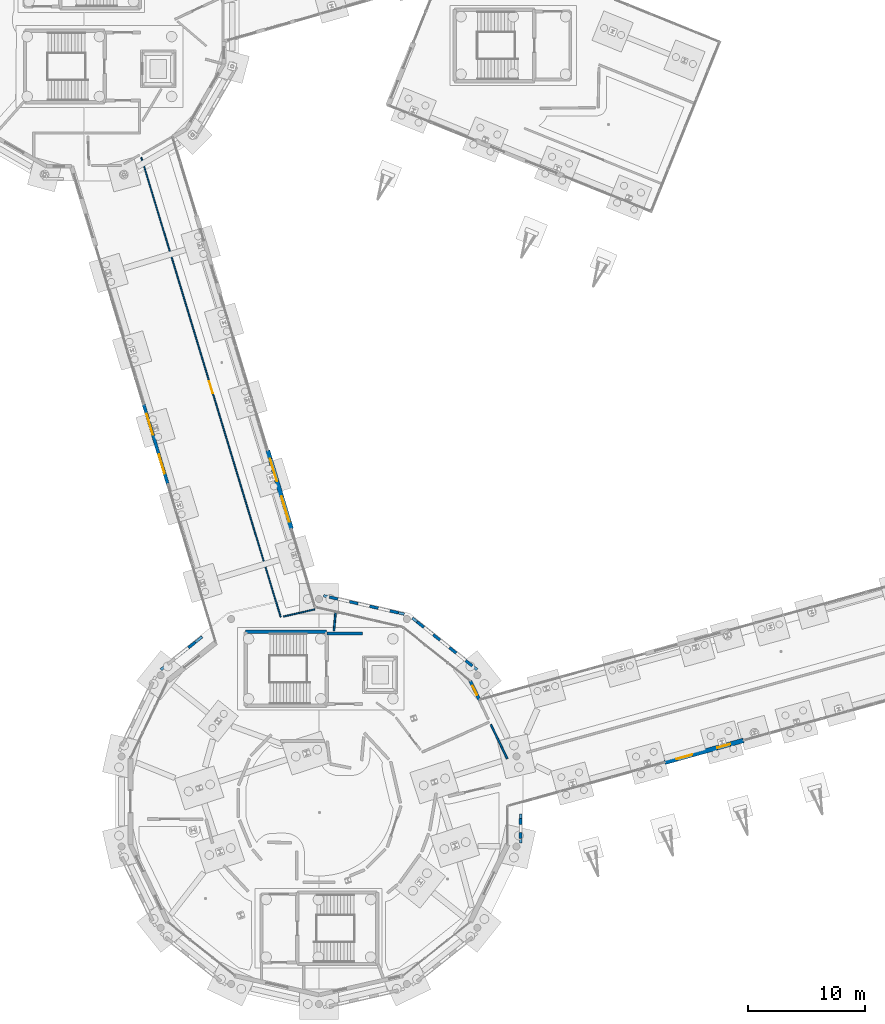
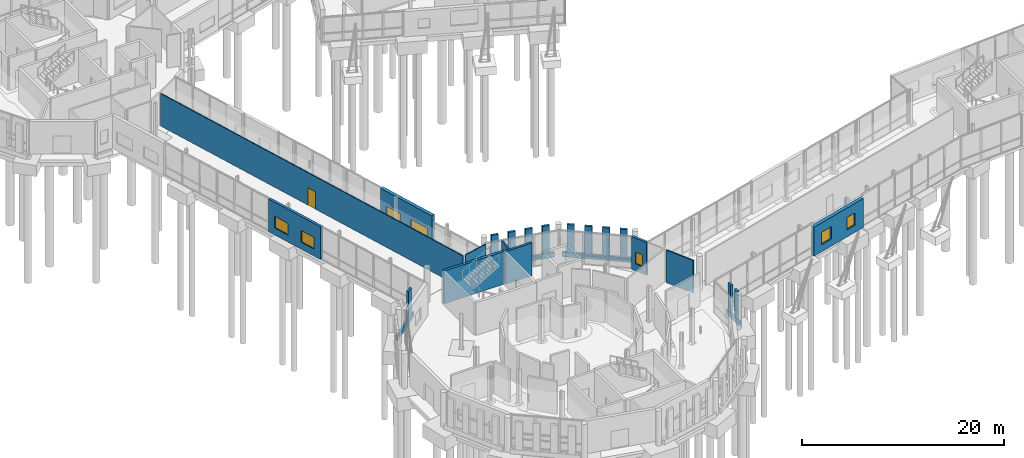
# One storey, part 80 of 113: 25 walls, 7 windows, 1 door, 8 openings.
"""IFC4 building model written with IfcOpenShell, lengths in metres."""

from ifc_helpers import new_model, si_unit, direction, frame, frame_2d, origin, place, context, subcontext, project, spatial, rectangle, extrude, material, layer, layer_set, type_object, element, fill, save


model = new_model("IFC4")

# Units and contexts
model_context = context("Model", 3, precision=1e-05, world=origin(), true_north=direction((0.0, 1.0)))
body_context = subcontext(model_context, "Body", "Model", "MODEL_VIEW")
ifc_project = project(units=[si_unit("LENGTHUNIT", "METRE"), si_unit("AREAUNIT", "SQUARE_METRE"), si_unit("VOLUMEUNIT", "CUBIC_METRE"), si_unit("PLANEANGLEUNIT", "RADIAN"), si_unit("MASSUNIT", "GRAM", prefix="KILO")], contexts=[model_context])

# Site, building, storey
site_placement = place(None, origin())
site = spatial("IfcSite", under=ifc_project, at=site_placement, CompositionType="ELEMENT")
building_placement = place(site_placement, origin())
building = spatial("IfcBuilding", under=site, at=building_placement, Name="Wrenclough Park School", CompositionType="ELEMENT")
storey_placement = place(building_placement, origin())
storey = spatial("IfcBuildingStorey", under=building, at=storey_placement, Name="L00", CompositionType="ELEMENT", Elevation=0.0)

# Walls
ifc_material_1 = material(Name="Perforated open-bond Staffordshire and Manchester brick screen pier", Category="masonry")
ifc_layer_1 = layer(ifc_material_1, 0.2451171875)
ifc_layer_set_1 = layer_set([ifc_layer_1], Name="Perforated open-bond Staffordshire and Manchester brick screen pier")
wall_type_1 = type_object("IfcWallType", Name="ENV-BS-PR245", PredefinedType="ELEMENTEDWALL", material=ifc_layer_set_1)
for number, where, z_axis, x_axis, name in (
    (1, (49.563232421875, 35.04833984375, 0.550048828125), (0.0, 0.0, 1.0), (-0.781833401173, 0.623487395872, 0.0), "D2 L00 perforated brick screen pier 0053"),
    (2, (48.185791015625, 36.14697265625, 0.550048828125), (0.0, 0.0, 1.0), (-0.781833401173, 0.623487395872, 0.0), "D2 L00 perforated brick screen pier 0054"),
    (3, (46.80810546875, 37.24560546875, 0.550048828125), (0.0, 0.0, 1.0), (-0.781833401173, 0.623487395872, 0.0), "D2 L00 perforated brick screen pier 0055"),
    (4, (45.4306640625, 38.34423828125, 0.550048828125), (0.0, 0.0, 1.0), (-0.781833401173, 0.623487395872, 0.0), "D2 L00 perforated brick screen pier 0056"),
    (5, (43.258056640625, 39.572998046875, 0.550048828125), (0.0, 0.0, 1.0), (-0.974960788757, 0.222376843189, 0.0), "D2 L00 perforated brick screen pier 0057"),
):
    element("IfcWall", number, at=place(storey_placement, frame(where, z_axis=z_axis, x_axis=x_axis)), inside=storey, type_object=wall_type_1, Name=name, PredefinedType="ELEMENTEDWALL", context=body_context, shape_type="SweptSolid", body=[
        extrude(rectangle(XDim=0.739990234375, YDim=0.2451171875, at=frame_2d((0.3701171875, 0.0))), origin(), (0.0, 0.0, 1.0), 3.389892578125),
    ])
wall_1_placement = place(storey_placement, frame((41.540771484375, 39.96484375, 0.550048828125), z_axis=(0.0, 0.0, 1.0), x_axis=(-0.974977096703, 0.222305332604, 0.0)))
element("IfcWall", 6, at=wall_1_placement, inside=storey, type_object=wall_type_1, Name="D2 L00 perforated brick screen pier 0058", PredefinedType="ELEMENTEDWALL", context=body_context, shape_type="SweptSolid", body=[
    extrude(rectangle(XDim=0.740234375, YDim=0.2451171875, at=frame_2d((0.3701171875, 0.0))), origin(), (0.0, 0.0, 1.0), 3.389892578125),
])
wall_2_placement = place(storey_placement, frame((39.8232421875, 40.35693359375, 0.550048828125), z_axis=(0.0, 0.0, 1.0), x_axis=(-0.974960788757, 0.222376843189, 0.0)))
element("IfcWall", 7, at=wall_2_placement, inside=storey, type_object=wall_type_1, Name="D2 L00 perforated brick screen pier 0059", PredefinedType="ELEMENTEDWALL", context=body_context, shape_type="SweptSolid", body=[
    extrude(rectangle(XDim=0.739990234375, YDim=0.2451171875, at=frame_2d((0.3701171875, 0.0))), origin(), (0.0, 0.0, 1.0), 3.389892578125),
])
wall_3_placement = place(storey_placement, frame((38.105712890625, 40.748779296875, 0.550048828125), z_axis=(0.0, 0.0, 1.0), x_axis=(-0.974872842026, 0.2227620746, 0.0)))
element("IfcWall", 8, at=wall_3_placement, inside=storey, type_object=wall_type_1, Name="D2 L00 perforated brick screen pier 0060", PredefinedType="ELEMENTEDWALL", context=body_context, shape_type="SweptSolid", body=[
    extrude(rectangle(XDim=0.73974609375, YDim=0.2451171875, at=frame_2d((0.369873046875, 0.0))), origin(), (0.0, 0.0, 1.0), 3.389892578125),
])
wall_4_placement = place(storey_placement, frame((25.970947265625, 37.069580078125, 0.550048828125), z_axis=(0.0, 0.0, 1.0), x_axis=(-0.781839347248, -0.623479939609, 0.0)))
element("IfcWall", 9, at=wall_4_placement, inside=storey, type_object=wall_type_1, Name="D2 L00 perforated brick screen pier 0061", PredefinedType="ELEMENTEDWALL", context=body_context, shape_type="SweptSolid", body=[
    extrude(rectangle(XDim=0.760009765625, YDim=0.2451171875, at=frame_2d((0.3798828125, 0.0))), origin(), (0.0, 0.0, 1.0), 3.389892578125),
])
for number, where, z_axis, x_axis, name in (
    (10, (53.673583984375, 20.330322265625, 0.550048828125), (0.0, 0.0, 1.0), (0.0, 1.0, 0.0), "D2 L00 perforated brick screen pier 0083"),
    (11, (53.673583984375, 21.548828125, 0.550048828125), (0.0, 0.0, 1.0), (0.0, 1.0, 0.0), "D2 L00 perforated brick screen pier 0084"),
):
    element("IfcWall", number, at=place(storey_placement, frame(where, z_axis=z_axis, x_axis=x_axis)), inside=storey, type_object=wall_type_1, Name=name, PredefinedType="ELEMENTEDWALL", context=body_context, shape_type="SweptSolid", body=[
        extrude(rectangle(XDim=0.511962890625, YDim=0.2451171875, at=frame_2d((0.255859375, 0.0))), origin(), (0.0, 0.0, 1.0), 3.389892578125),
    ])
ifc_material_2 = material(Name="Open-bond Manchester multi-stock brick spandrel screen", Category="masonry")
ifc_layer_2 = layer(ifc_material_2, 0.22509765625)
ifc_layer_set_2 = layer_set([ifc_layer_2], Name="Open-bond Manchester multi-stock brick spandrel screen")
wall_type_2 = type_object("IfcWallType", Name="ENV-BS-SP225", PredefinedType="ELEMENTEDWALL", material=ifc_layer_set_2)
wall_5_placement = place(storey_placement, frame((49.962890625, 34.729736328125, 0.0), z_axis=(0.0, 0.0, 1.0), x_axis=(-0.781827630302, 0.623494632291, 0.0)))
element("IfcWall", 12, at=wall_5_placement, inside=storey, type_object=wall_type_2, Name="D2 L00 open-bond brick screen spandrel 0013", PredefinedType="ELEMENTEDWALL", context=body_context, shape_type="SweptSolid", body=[
    extrude(rectangle(XDim=7.04833984375, YDim=0.22509765625, at=frame_2d((3.524169921875, 0.0))), origin(), (0.0, 0.0, 1.0), 0.550048828125),
])
wall_6_placement = place(storey_placement, frame((43.756103515625, 39.459228515625, 0.0), z_axis=(0.0, 0.0, 1.0), x_axis=(-0.974930278984, 0.222510564064, 0.0)))
element("IfcWall", 13, at=wall_6_placement, inside=storey, type_object=wall_type_2, Name="D2 L00 open-bond brick screen spandrel 0014", PredefinedType="ELEMENTEDWALL", context=body_context, shape_type="SweptSolid", body=[
    extrude(rectangle(XDim=7.04638671875, YDim=0.22509765625, at=frame_2d((3.523193359375, 0.0))), origin(), (0.0, 0.0, 1.0), 0.550048828125),
])
wall_7_placement = place(storey_placement, frame((26.552734375, 37.533447265625, 0.0), z_axis=(0.0, 0.0, 1.0), x_axis=(-0.78184780695, -0.623469331056, 0.0)))
element("IfcWall", 14, at=wall_7_placement, inside=storey, type_object=wall_type_2, Name="D2 L00 open-bond brick screen spandrel 0015", PredefinedType="ELEMENTEDWALL", context=body_context, shape_type="SweptSolid", body=[
    extrude(rectangle(XDim=4.49658203125, YDim=0.22509765625, at=frame_2d((2.248291015625, 0.0))), origin(), (0.0, 0.0, 1.0), 0.550048828125),
])
wall_8_placement = place(storey_placement, frame((53.673583984375, 19.97705078125, 0.0), z_axis=(0.0, 0.0, 1.0), x_axis=(0.0, 1.0, 0.0)))
element("IfcWall", 15, at=wall_8_placement, inside=storey, type_object=wall_type_2, Name="D2 L00 open-bond brick screen spandrel 0021", PredefinedType="ELEMENTEDWALL", context=body_context, shape_type="SweptSolid", body=[
    extrude(rectangle(XDim=2.43701171875, YDim=0.22509765625, at=frame_2d((1.218505859375, 0.0))), origin(), (0.0, 0.0, 1.0), 0.550048828125),
])

# Wall, openings, windows
ifc_material_3 = material(Name="Link wing brick-faced cavity wall Concrete C32/40", Category="masonry")
ifc_layer_3 = layer(ifc_material_3, 0.27490234375)
ifc_layer_set_3 = layer_set([ifc_layer_3], Name="Link wing brick-faced cavity wall Concrete C32/40")
wall_type_3 = type_object("IfcWallType", Name="ENV-EW-275", PredefinedType="SOLIDWALL", material=ifc_layer_set_3)
wall_9_placement = place(storey_placement, frame((23.619140625, 50.55859375, 0.0), z_axis=(0.0, 0.0, 1.0), x_axis=(-0.290004516903, 0.957025276665, 0.0)))
wall_9 = element("IfcWall", 16, at=wall_9_placement, inside=storey, type_object=wall_type_3, Name="L00 insulated brick external wall 0006", PredefinedType="SOLIDWALL", context=body_context, shape_type="SweptSolid", body=[
    extrude(rectangle(XDim=7.062255859375, YDim=0.27490234375, at=frame_2d((3.53125, 0.0))), origin(), (0.0, 0.0, 1.0), 3.93994140625),
])
opening_1_placement = place(wall_9_placement, frame((0.91552734375, 0.0, 0.85009765625)))
opening_1 = element("IfcOpeningElement", 17, at=opening_1_placement, cuts=wall_9, Name="Opening WN-07", PredefinedType="OPENING", context=body_context, shape_type="SweptSolid", body=[
    extrude(rectangle(XDim=1.699951171875, YDim=1.39990234375, at=frame_2d((0.85009765625, 0.699951171875))), frame((0.0, 0.1474609375, 0.0), z_axis=(0.0, -1.0, 0.0), x_axis=(1.0, 0.0, 0.0)), (0.0, 0.0, 1.0), 0.294921875),
])
opening_2_placement = place(wall_9_placement, frame((4.37158203125, 0.0, 0.85009765625)))
opening_2 = element("IfcOpeningElement", 18, at=opening_2_placement, cuts=wall_9, Name="Opening WN-08", PredefinedType="OPENING", context=body_context, shape_type="SweptSolid", body=[
    extrude(rectangle(XDim=1.85009765625, YDim=1.39990234375, at=frame_2d((0.925048828125, 0.699951171875))), frame((0.0, 0.1474609375, 0.0), z_axis=(0.0, -1.0, 0.0), x_axis=(1.0, 0.0, 0.0)), (0.0, 0.0, 1.0), 0.294921875),
])
ifc_material_4 = material(Name="Thermally broken aluminium and double-glazed low-e glass", Category="aluminium")
window_type_1 = type_object("IfcWindowType", Name="ENV-WN-07", PartitioningType="DOUBLE_PANEL_VERTICAL", PredefinedType="WINDOW", material=ifc_material_4)
window_1_placement = place(opening_1_placement, origin())
window_1 = element("IfcWindow", 19, at=window_1_placement, inside=storey, type_object=window_type_1, Name="L00 scheduled facade window 0006", OverallHeight=1.39990234375, OverallWidth=1.699951171875, PartitioningType="SINGLE_PANEL", PredefinedType="WINDOW", context=body_context, shape_type="SweptSolid", body=[
    extrude(rectangle(XDim=1.699951171875, YDim=1.39990234375, at=frame_2d((0.85009765625, 0.699951171875))), frame((0.0, 0.030029296875, 0.0), z_axis=(0.0, -1.0, 0.0), x_axis=(1.0, 0.0, 0.0)), (0.0, 0.0, 1.0), 0.06005859375),
])
fill(opening_1, window_1)
window_type_2 = type_object("IfcWindowType", Name="ENV-WN-08", PartitioningType="DOUBLE_PANEL_VERTICAL", PredefinedType="WINDOW", material=ifc_material_4)
window_2_placement = place(opening_2_placement, origin())
window_2 = element("IfcWindow", 20, at=window_2_placement, inside=storey, type_object=window_type_2, Name="L00 scheduled facade window 0007", OverallHeight=1.39990234375, OverallWidth=1.85009765625, PartitioningType="SINGLE_PANEL", PredefinedType="WINDOW", context=body_context, shape_type="SweptSolid", body=[
    extrude(rectangle(XDim=1.85009765625, YDim=1.39990234375, at=frame_2d((0.925048828125, 0.699951171875))), frame((0.0, 0.030029296875, 0.0), z_axis=(0.0, -1.0, 0.0), x_axis=(1.0, 0.0, 0.0)), (0.0, 0.0, 1.0), 0.06005859375),
])
fill(opening_2, window_2)

# Wall, opening, window
wall_10_placement = place(storey_placement, frame((49.382080078125, 33.773193359375, 0.0), z_axis=(0.0, 0.0, 1.0), x_axis=(0.433922119058, -0.90095038409, 0.0)))
wall_10 = element("IfcWall", 21, at=wall_10_placement, inside=storey, type_object=wall_type_3, Name="L00 insulated brick external wall 0046", PredefinedType="SOLIDWALL", context=body_context, shape_type="SweptSolid", body=[
    extrude(rectangle(XDim=1.7919921875, YDim=0.27490234375, at=frame_2d((0.89599609375, 0.0))), origin(), (0.0, 0.0, 1.0), 3.93994140625),
])
opening_3_placement = place(wall_10_placement, frame((0.470947265625, 0.0, 0.85009765625)))
opening_3 = element("IfcOpeningElement", 22, at=opening_3_placement, cuts=wall_10, Name="Opening WN-01", PredefinedType="OPENING", context=body_context, shape_type="SweptSolid", body=[
    extrude(rectangle(XDim=0.85009765625, YDim=1.39990234375, at=frame_2d((0.425048828125, 0.699951171875))), frame((0.0, 0.1474609375, 0.0), z_axis=(0.0, -1.0, 0.0), x_axis=(1.0, 0.0, 0.0)), (0.0, 0.0, 1.0), 0.294921875),
])
window_type_3 = type_object("IfcWindowType", Name="ENV-WN-01", PartitioningType="SINGLE_PANEL", PredefinedType="WINDOW", material=ifc_material_4)
window_3_placement = place(opening_3_placement, origin())
window_3 = element("IfcWindow", 23, at=window_3_placement, inside=storey, type_object=window_type_3, Name="L00 scheduled facade window 0051", OverallHeight=1.39990234375, OverallWidth=0.85009765625, PartitioningType="SINGLE_PANEL", PredefinedType="WINDOW", context=body_context, shape_type="SweptSolid", body=[
    extrude(rectangle(XDim=0.85009765625, YDim=1.39990234375, at=frame_2d((0.425048828125, 0.699951171875))), frame((0.0, 0.030029296875, 0.0), z_axis=(0.0, -1.0, 0.0), x_axis=(1.0, 0.0, 0.0)), (0.0, 0.0, 1.0), 0.06005859375),
])
fill(opening_3, window_3)

# Wall, openings, windows
ifc_material_5 = material(Name="Manchester multi-stock brick and Concrete C35/45 inner leaf", Category="masonry")
ifc_layer_4 = layer(ifc_material_5, 0.3798828125)
ifc_layer_set_4 = layer_set([ifc_layer_4], Name="Manchester multi-stock brick and Concrete C35/45 inner leaf")
wall_type_4 = type_object("IfcWallType", Name="ENV-EW-380", PredefinedType="SOLIDWALL", material=ifc_layer_set_4)
wall_11_placement = place(storey_placement, frame((32.119873046875, 53.402099609375, 0.0), z_axis=(0.0, 0.0, 1.0), x_axis=(0.29003168505, -0.957017043561, 0.0)))
wall_11 = element("IfcWall", 24, at=wall_11_placement, inside=storey, type_object=wall_type_4, Name="L00 insulated brick external wall 0075", PredefinedType="SOLIDWALL", context=body_context, shape_type="SweptSolid", body=[
    extrude(rectangle(XDim=6.97412109375, YDim=0.3798828125, at=frame_2d((3.487060546875, 0.0))), origin(), (0.0, 0.0, 1.0), 3.93994140625),
])
opening_4_placement = place(wall_11_placement, frame((0.743408203125, 0.0, 0.85009765625)))
opening_4 = element("IfcOpeningElement", 25, at=opening_4_placement, cuts=wall_11, Name="Opening WN-47", PredefinedType="OPENING", context=body_context, shape_type="SweptSolid", body=[
    extrude(rectangle(XDim=2.0, YDim=1.300048828125, at=frame_2d((1.0, 0.64990234375))), frame((0.0, 0.199951171875, 0.0), z_axis=(0.0, -1.0, 0.0), x_axis=(1.0, 0.0, 0.0)), (0.0, 0.0, 1.0), 0.39990234375),
])
opening_5_placement = place(wall_11_placement, frame((4.105712890625, 0.0, 0.85009765625)))
opening_5 = element("IfcOpeningElement", 26, at=opening_5_placement, cuts=wall_11, Name="Opening WN-48", PredefinedType="OPENING", context=body_context, shape_type="SweptSolid", body=[
    extrude(rectangle(XDim=2.25, YDim=1.300048828125, at=frame_2d((1.125, 0.64990234375))), frame((0.0, 0.199951171875, 0.0), z_axis=(0.0, -1.0, 0.0), x_axis=(1.0, 0.0, 0.0)), (0.0, 0.0, 1.0), 0.39990234375),
])
window_type_4 = type_object("IfcWindowType", Name="ENV-WN-47", PartitioningType="DOUBLE_PANEL_VERTICAL", PredefinedType="WINDOW", material=ifc_material_4)
window_4_placement = place(opening_4_placement, origin())
window_4 = element("IfcWindow", 27, at=window_4_placement, inside=storey, type_object=window_type_4, Name="L00 scheduled facade window 0102", OverallHeight=1.300048828125, OverallWidth=2.0, PartitioningType="SINGLE_PANEL", PredefinedType="WINDOW", context=body_context, shape_type="SweptSolid", body=[
    extrude(rectangle(XDim=2.0, YDim=1.300048828125, at=frame_2d((1.0, 0.64990234375))), frame((0.0, 0.030029296875, 0.0), z_axis=(0.0, -1.0, 0.0), x_axis=(1.0, 0.0, 0.0)), (0.0, 0.0, 1.0), 0.06005859375),
])
fill(opening_4, window_4)
window_type_5 = type_object("IfcWindowType", Name="ENV-WN-48", PartitioningType="DOUBLE_PANEL_VERTICAL", PredefinedType="WINDOW", material=ifc_material_4)
window_5_placement = place(opening_5_placement, origin())
window_5 = element("IfcWindow", 28, at=window_5_placement, inside=storey, type_object=window_type_5, Name="L00 scheduled facade window 0103", OverallHeight=1.300048828125, OverallWidth=2.25, PartitioningType="SINGLE_PANEL", PredefinedType="WINDOW", context=body_context, shape_type="SweptSolid", body=[
    extrude(rectangle(XDim=2.25, YDim=1.300048828125, at=frame_2d((1.125, 0.64990234375))), frame((0.0, 0.030029296875, 0.0), z_axis=(0.0, -1.0, 0.0), x_axis=(1.0, 0.0, 0.0)), (0.0, 0.0, 1.0), 0.06005859375),
])
fill(opening_5, window_5)

ifc_material_6 = material(Name="Staffordshire blue-grey brick and Concrete C40/50 acoustic leaf", Category="masonry")
ifc_layer_5 = layer(ifc_material_6, 0.39990234375)
ifc_layer_set_5 = layer_set([ifc_layer_5], Name="Staffordshire blue-grey brick and Concrete C40/50 acoustic leaf")
wall_type_5 = type_object("IfcWallType", Name="ENV-EW-400", PredefinedType="SOLIDWALL", material=ifc_layer_set_5)
wall_12_placement = place(storey_placement, frame((72.650390625, 28.701416015625, 0.0), z_axis=(0.0, 0.0, 1.0), x_axis=(-0.963400554219, -0.268065984658, 0.0)))
wall_12 = element("IfcWall", 29, at=wall_12_placement, inside=storey, type_object=wall_type_5, Name="L00 insulated brick external wall 0044", PredefinedType="SOLIDWALL", context=body_context, shape_type="SweptSolid", body=[
    extrude(rectangle(XDim=6.949951171875, YDim=0.39990234375, at=frame_2d((3.47509765625, 0.0))), origin(), (0.0, 0.0, 1.0), 3.488525390625),
])
opening_6_placement = place(wall_12_placement, frame((1.16259765625, 0.0, 0.85009765625)))
opening_6 = element("IfcOpeningElement", 30, at=opening_6_placement, cuts=wall_12, Name="Opening WN-50", PredefinedType="OPENING", context=body_context, shape_type="SweptSolid", body=[
    extrude(rectangle(XDim=1.14990234375, YDim=1.5, at=frame_2d((0.574951171875, 0.75))), frame((0.0, 0.2099609375, 0.0), z_axis=(0.0, -1.0, 0.0), x_axis=(1.0, 0.0, 0.0)), (0.0, 0.0, 1.0), 0.419921875),
])
opening_7_placement = place(wall_12_placement, frame((4.512451171875, 0.0, 0.85009765625)))
opening_7 = element("IfcOpeningElement", 31, at=opening_7_placement, cuts=wall_12, Name="Opening WN-51", PredefinedType="OPENING", context=body_context, shape_type="SweptSolid", body=[
    extrude(rectangle(XDim=1.39990234375, YDim=1.5, at=frame_2d((0.699951171875, 0.75))), frame((0.0, 0.2099609375, 0.0), z_axis=(0.0, -1.0, 0.0), x_axis=(1.0, 0.0, 0.0)), (0.0, 0.0, 1.0), 0.419921875),
])
window_type_6 = type_object("IfcWindowType", Name="ENV-WN-50", PartitioningType="SINGLE_PANEL", PredefinedType="WINDOW", material=ifc_material_4)
window_6_placement = place(opening_6_placement, origin())
window_6 = element("IfcWindow", 32, at=window_6_placement, inside=storey, type_object=window_type_6, Name="L00 scheduled facade window 0049", OverallHeight=1.5, OverallWidth=1.14990234375, PartitioningType="SINGLE_PANEL", PredefinedType="WINDOW", context=body_context, shape_type="SweptSolid", body=[
    extrude(rectangle(XDim=1.14990234375, YDim=1.5, at=frame_2d((0.574951171875, 0.75))), frame((0.0, 0.030029296875, 0.0), z_axis=(0.0, -1.0, 0.0), x_axis=(1.0, 0.0, 0.0)), (0.0, 0.0, 1.0), 0.06005859375),
])
fill(opening_6, window_6)
window_type_7 = type_object("IfcWindowType", Name="ENV-WN-51", PartitioningType="SINGLE_PANEL", PredefinedType="WINDOW", material=ifc_material_4)
window_7_placement = place(opening_7_placement, origin())
window_7 = element("IfcWindow", 33, at=window_7_placement, inside=storey, type_object=window_type_7, Name="L00 scheduled facade window 0050", OverallHeight=1.5, OverallWidth=1.39990234375, PartitioningType="SINGLE_PANEL", PredefinedType="WINDOW", context=body_context, shape_type="SweptSolid", body=[
    extrude(rectangle(XDim=1.39990234375, YDim=1.5, at=frame_2d((0.699951171875, 0.75))), frame((0.0, 0.030029296875, 0.0), z_axis=(0.0, -1.0, 0.0), x_axis=(1.0, 0.0, 0.0)), (0.0, 0.0, 1.0), 0.06005859375),
])
fill(opening_7, window_7)

# Walls
ifc_material_7 = material(Name="Concrete C35/45", Category="concrete")
ifc_layer_6 = layer(ifc_material_7, 0.25)
ifc_layer_set_6 = layer_set([ifc_layer_6], Name="Concrete C35/45")
wall_type_6 = type_object("IfcWallType", Name="INT-CW-250", PredefinedType="SHEAR", material=ifc_layer_set_6)
wall_13_placement = place(storey_placement, frame((40.199951171875, 37.800048828125, 0.0), z_axis=(0.0, 0.0, 1.0), x_axis=(-1.0, 0.0, 0.0)))
element("IfcWall", 34, at=wall_13_placement, inside=storey, type_object=wall_type_6, Name="Core C2 L00 lobby fire wall north", PredefinedType="SHEAR", context=body_context, shape_type="SweptSolid", body=[
    extrude(rectangle(XDim=3.0, YDim=0.25, at=frame_2d((1.5, 0.0))), origin(), (0.0, 0.0, 1.0), 3.949951171875),
])
ifc_material_8 = material(Name="Concrete C40/50", Category="concrete")
ifc_layer_7 = layer(ifc_material_8, 0.2900390625)
ifc_layer_set_7 = layer_set([ifc_layer_7], Name="Concrete C40/50")
wall_type_7 = type_object("IfcWallType", Name="INT-CW-290", PredefinedType="SHEAR", material=ifc_layer_set_7)
wall_14_placement = place(storey_placement, frame((37.14501953125, 37.945068359375, 0.0), z_axis=(0.0, 0.0, 1.0), x_axis=(-1.0, 0.0, 0.0)))
element("IfcWall", 35, at=wall_14_placement, inside=storey, type_object=wall_type_7, Name="Core C2 L00 north shear wall", PredefinedType="SHEAR", context=body_context, shape_type="SweptSolid", body=[
    extrude(rectangle(XDim=6.89013671875, YDim=0.2900390625, at=frame_2d((3.445068359375, 0.0))), origin(), (0.0, 0.0, 1.0), 3.949951171875),
])

# Wall, opening, door
ifc_material_9 = material(Name="Lightweight fire-rated store partition", Category="gypsum")
ifc_layer_8 = layer(ifc_material_9, 0.110107421875)
ifc_layer_set_8 = layer_set([ifc_layer_8], Name="Lightweight fire-rated store partition")
wall_type_8 = type_object("IfcWallType", Name="INT-PW-110", PredefinedType="PARTITIONING", material=ifc_layer_set_8)
wall_15_placement = place(storey_placement, frame((21.36328125, 78.36767578125, 0.0), z_axis=(0.0, 0.0, 1.0), x_axis=(0.290095143461, -0.956997809684, 0.0)))
wall_15 = element("IfcWall", 36, at=wall_15_placement, inside=storey, type_object=wall_type_8, Name="L00 internal partition 0143", PredefinedType="PARTITIONING", context=body_context, shape_type="SweptSolid", body=[
    extrude(rectangle(XDim=40.926513671875, YDim=0.110107421875, at=frame_2d((20.46337890625, 0.0))), origin(), (0.0, 0.0, 1.0), 3.9150390625),
])
opening_8_placement = place(wall_15_placement, frame((19.943115234375, 0.0, 0.0)))
opening_8 = element("IfcOpeningElement", 37, at=opening_8_placement, cuts=wall_15, Name="Opening DR-L00-024", PredefinedType="OPENING", context=body_context, shape_type="SweptSolid", body=[
    extrude(rectangle(XDim=1.0400390625, YDim=2.10009765625, at=frame_2d((0.52001953125, 1.050048828125))), frame((0.0, 0.06494140625, 0.0), z_axis=(0.0, -1.0, 0.0), x_axis=(1.0, 0.0, 0.0)), (0.0, 0.0, 1.0), 0.130126953125),
])
ifc_material_10 = material(Name="SEN accessible teaching room door assembly", Category="wood")
door_type = type_object("IfcDoorType", Name="INT-DR-CL104", OperationType="NOTDEFINED", PredefinedType="DOOR", material=ifc_material_10)
door_placement = place(opening_8_placement, origin())
door = element("IfcDoor", 38, at=door_placement, inside=storey, type_object=door_type, Name="Design Tutorial Studio L00 door DR-L00-024", OperationType="SINGLE_SWING_LEFT", OverallHeight=2.10009765625, OverallWidth=1.0400390625, PredefinedType="DOOR", context=body_context, shape_type="SweptSolid", body=[
    extrude(rectangle(XDim=1.0400390625, YDim=2.10009765625, at=frame_2d((0.52001953125, 1.050048828125))), frame((0.0, 0.02490234375, 0.0), z_axis=(0.0, -1.0, 0.0), x_axis=(1.0, 0.0, 0.0)), (0.0, 0.0, 1.0), 0.050048828125),
])
fill(opening_8, door)

# Walls
wall_16_placement = place(storey_placement, frame((33.479248046875, 39.256591796875, 0.0), z_axis=(0.0, 0.0, 1.0), x_axis=(0.974917901323, 0.222564789847, 0.0)))
element("IfcWall", 39, at=wall_16_placement, inside=storey, type_object=wall_type_8, Name="L00 internal partition 0144", PredefinedType="PARTITIONING", context=body_context, shape_type="SweptSolid", body=[
    extrude(rectangle(XDim=2.72802734375, YDim=0.110107421875, at=frame_2d((1.364013671875, 0.0))), origin(), (0.0, 0.0, 1.0), 3.9150390625),
])
ifc_material_11 = material(Name="Protected corridor partition", Category="gypsum")
ifc_layer_9 = layer(ifc_material_11, 0.14990234375)
ifc_layer_set_9 = layer_set([ifc_layer_9], Name="Protected corridor partition")
wall_type_9 = type_object("IfcWallType", Name="INT-PW-150", PredefinedType="PARTITIONING", material=ifc_layer_set_9)
wall_17_placement = place(storey_placement, frame((37.904541015625, 39.5537109375, 0.0), z_axis=(0.0, 0.0, 1.0), x_axis=(-0.087087221657, -0.996200690536, 0.0)))
element("IfcWall", 40, at=wall_17_placement, inside=storey, type_object=wall_type_9, Name="L00 internal partition 0073", PredefinedType="PARTITIONING", context=body_context, shape_type="SweptSolid", body=[
    extrude(rectangle(XDim=1.51953125, YDim=0.14990234375, at=frame_2d((0.759765625, 0.0))), origin(), (0.0, 0.0, 1.0), 3.929931640625),
])
wall_18_placement = place(storey_placement, frame((51.13623046875, 30.054931640625, 0.0), z_axis=(0.0, 0.0, 1.0), x_axis=(0.432669492515, -0.901552610914, 0.0)))
element("IfcWall", 41, at=wall_18_placement, inside=storey, type_object=wall_type_9, Name="L00 internal partition 0136", PredefinedType="PARTITIONING", context=body_context, shape_type="SweptSolid", body=[
    extrude(rectangle(XDim=3.222412109375, YDim=0.14990234375, at=frame_2d((1.611328125, 0.0))), origin(), (0.0, 0.0, 1.0), 3.929931640625),
])

save(model, "model.ifc")
